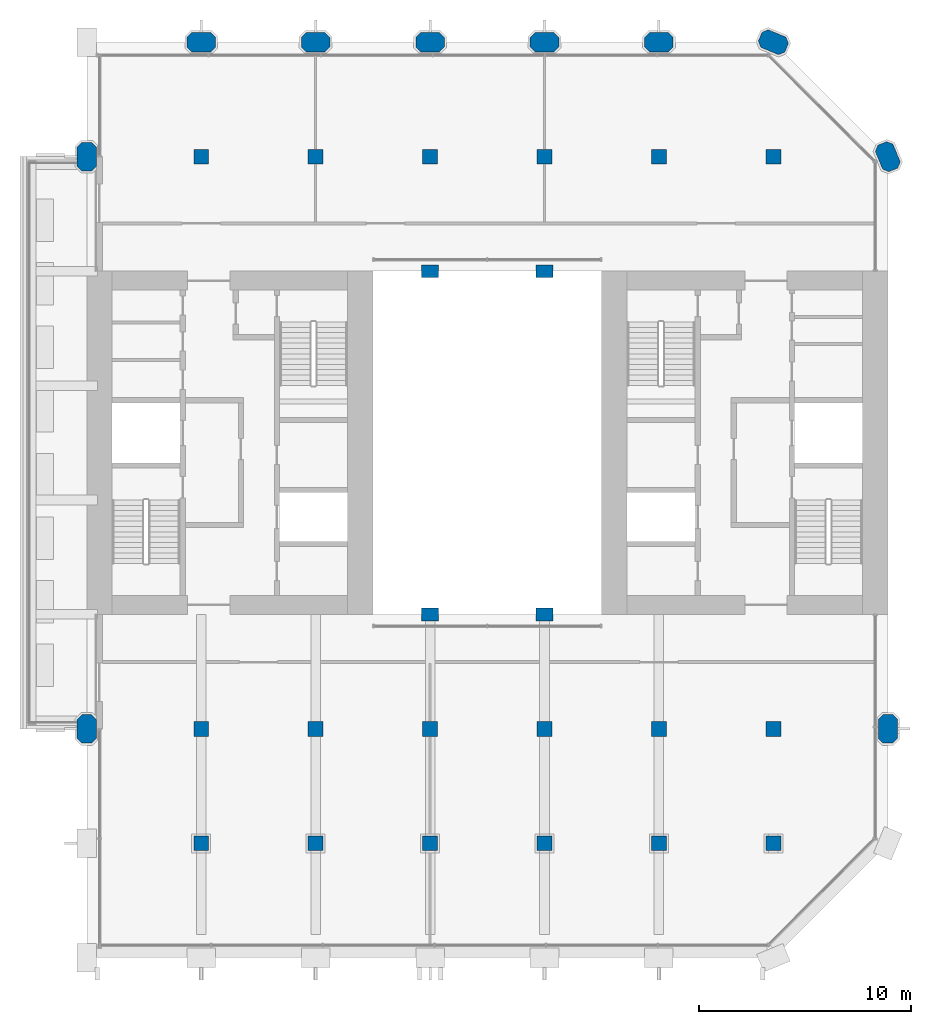
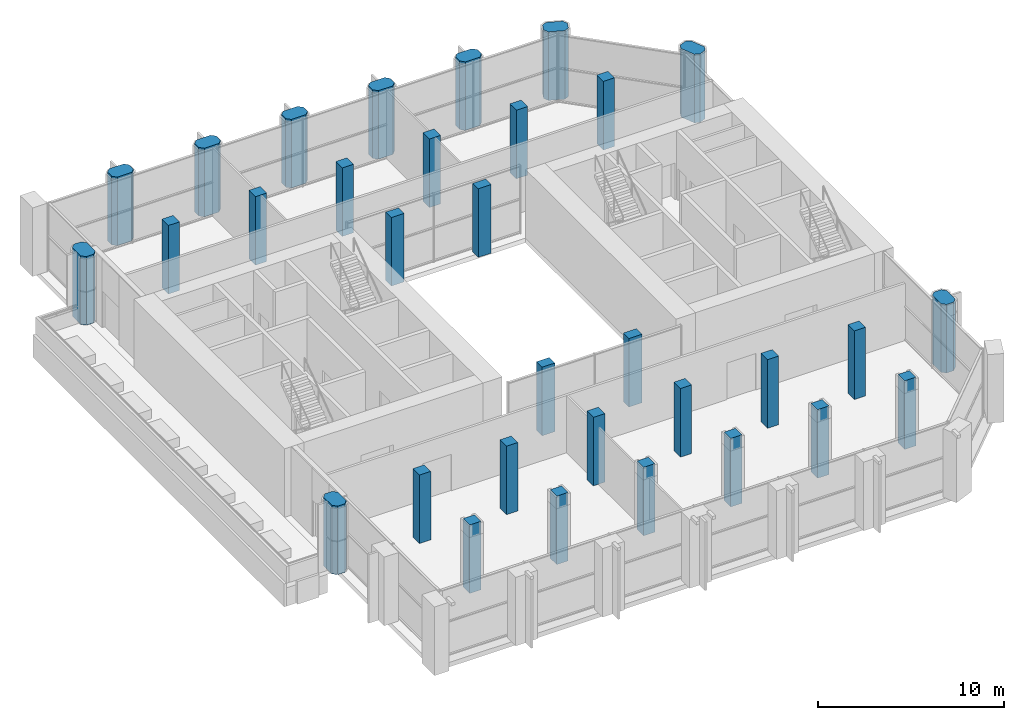
# One storey, part 1 of 14: 32 columns.
"""IFC4 building model written with IfcOpenShell, lengths in metres."""

from ifc_helpers import new_model, si_unit, direction, frame, origin, origin_2d, place, context, subcontext, project, spatial, polyline, rectangle, outline, extrude, material, material_profile, profile_set, type_object, element, save


model = new_model("IFC4")

# Units and contexts
model_context = context("Model", 3, precision=1e-05, world=origin(), true_north=direction((0.0, 1.0)))
body_context = subcontext(model_context, "Body", "Model", "MODEL_VIEW")
ifc_project = project(units=[si_unit("LENGTHUNIT", "METRE"), si_unit("AREAUNIT", "SQUARE_METRE"), si_unit("VOLUMEUNIT", "CUBIC_METRE"), si_unit("PLANEANGLEUNIT", "RADIAN"), si_unit("MASSUNIT", "GRAM", prefix="KILO")], contexts=[model_context])

# Site, building, storey
site_placement = place(None, origin())
site = spatial("IfcSite", under=ifc_project, at=site_placement, CompositionType="ELEMENT")
building_placement = place(site_placement, origin())
building = spatial("IfcBuilding", under=site, at=building_placement, Name="Tabaq Tower and Sports Hall", CompositionType="ELEMENT")
storey_placement = place(building_placement, frame((0.0, 0.0, 260.5)))
storey = spatial("IfcBuildingStorey", under=building, at=storey_placement, Name="L63", CompositionType="ELEMENT", Elevation=260.5)

# Columns
ifc_material_1 = material(Name="Concrete C40/50", Category="concrete")
ifc_material_profile_1 = material_profile(ifc_material_1, rectangle(XDim=0.800048828125, YDim=0.60009765625, at=origin_2d()), Name="ATRIUM COLUMN 800x600")
ifc_profile_set_1 = profile_set([ifc_material_profile_1], Name="Concrete C40/50")
column_type_1 = type_object("IfcColumnType", Name="RC COLUMN ATRIUM COLUMN 800x600 C40/50", PredefinedType="COLUMN", material=ifc_profile_set_1)
for number, where, z_axis, x_axis, name in (
    (1, (21.60009765625, 16.199951171875, 0.0), (0.0, 0.0, 1.0), (1.0, 0.0, 0.0), "Atrium Column 5/D L63"),
    (2, (27.0, 16.199951171875, 0.0), (0.0, 0.0, 1.0), (1.0, 0.0, 0.0), "Atrium Column 6/D L63"),
    (3, (21.60009765625, 32.39990234375, 0.0), (0.0, 0.0, 1.0), (1.0, 0.0, 0.0), "Atrium Column 5/G L63"),
    (4, (27.0, 32.39990234375, 0.0), (0.0, 0.0, 1.0), (1.0, 0.0, 0.0), "Atrium Column 6/G L63"),
):
    element("IfcColumn", number, at=place(storey_placement, frame(where, z_axis=z_axis, x_axis=x_axis)), inside=storey, type_object=column_type_1, Name=name, PredefinedType="COLUMN", context=body_context, shape_type="SweptSolid", body=[
        extrude(rectangle(XDim=0.800048828125, YDim=0.60009765625, at=origin_2d()), origin(), (0.0, 0.0, 1.0), 4.5),
    ])
ifc_material_2 = material(Name="Concrete C40/50", Category="concrete")
ifc_material_profile_2 = material_profile(ifc_material_2, rectangle(XDim=0.699951171875, YDim=0.699951171875, at=origin_2d()), Name="COLUMN 700x700")
ifc_profile_set_2 = profile_set([ifc_material_profile_2], Name="Concrete C40/50")
column_type_2 = type_object("IfcColumnType", Name="RC COLUMN COLUMN 700x700 C40/50", PredefinedType="COLUMN", material=ifc_profile_set_2)
for number, where, z_axis, x_axis, name in (
    (5, (10.800048828125, 5.39990234375, 0.0), (0.0, 0.0, 1.0), (1.0, 0.0, 0.0), "Column 3/B L63"),
    (6, (16.199951171875, 5.39990234375, 0.0), (0.0, 0.0, 1.0), (1.0, 0.0, 0.0), "Column 4/B L63"),
    (7, (21.60009765625, 5.39990234375, 0.0), (0.0, 0.0, 1.0), (1.0, 0.0, 0.0), "Column 5/B L63"),
    (8, (27.0, 5.39990234375, 0.0), (0.0, 0.0, 1.0), (1.0, 0.0, 0.0), "Column 6/B L63"),
    (9, (32.39990234375, 5.39990234375, 0.0), (0.0, 0.0, 1.0), (1.0, 0.0, 0.0), "Column 7/B L63"),
    (10, (37.800048828125, 5.39990234375, 0.0), (0.0, 0.0, 1.0), (1.0, 0.0, 0.0), "Column 8/B L63"),
    (11, (10.800048828125, 10.800048828125, 0.0), (0.0, 0.0, 1.0), (1.0, 0.0, 0.0), "Column 3/C L63"),
    (12, (16.199951171875, 10.800048828125, 0.0), (0.0, 0.0, 1.0), (1.0, 0.0, 0.0), "Column 4/C L63"),
    (13, (21.60009765625, 10.800048828125, 0.0), (0.0, 0.0, 1.0), (1.0, 0.0, 0.0), "Column 5/C L63"),
    (14, (27.0, 10.800048828125, 0.0), (0.0, 0.0, 1.0), (1.0, 0.0, 0.0), "Column 6/C L63"),
    (15, (32.39990234375, 10.800048828125, 0.0), (0.0, 0.0, 1.0), (1.0, 0.0, 0.0), "Column 7/C L63"),
    (16, (37.800048828125, 10.800048828125, 0.0), (0.0, 0.0, 1.0), (1.0, 0.0, 0.0), "Column 8/C L63"),
    (17, (10.800048828125, 37.800048828125, 0.0), (0.0, 0.0, 1.0), (1.0, 0.0, 0.0), "Column 3/H L63"),
    (18, (16.199951171875, 37.800048828125, 0.0), (0.0, 0.0, 1.0), (1.0, 0.0, 0.0), "Column 4/H L63"),
    (19, (21.60009765625, 37.800048828125, 0.0), (0.0, 0.0, 1.0), (1.0, 0.0, 0.0), "Column 5/H L63"),
    (20, (27.0, 37.800048828125, 0.0), (0.0, 0.0, 1.0), (1.0, 0.0, 0.0), "Column 6/H L63"),
    (21, (32.39990234375, 37.800048828125, 0.0), (0.0, 0.0, 1.0), (1.0, 0.0, 0.0), "Column 7/H L63"),
    (22, (37.800048828125, 37.800048828125, 0.0), (0.0, 0.0, 1.0), (1.0, 0.0, 0.0), "Column 8/H L63"),
):
    element("IfcColumn", number, at=place(storey_placement, frame(where, z_axis=z_axis, x_axis=x_axis)), inside=storey, type_object=column_type_2, Name=name, PredefinedType="COLUMN", context=body_context, shape_type="SweptSolid", body=[
        extrude(rectangle(XDim=0.699951171875, YDim=0.699951171875, at=origin_2d()), origin(), (0.0, 0.0, 1.0), 4.5),
    ])
ifc_material_3 = material(Name="Concrete C40/50", Category="concrete")
ifc_material_profile_3 = material_profile(ifc_material_3, outline(polyline([(-0.449951171875, -0.449951171875), (0.449951171875, -0.449951171875), (0.675048828125, -0.22509765625), (0.675048828125, 0.22509765625), (0.449951171875, 0.449951171875), (-0.449951171875, 0.449951171875), (-0.675048828125, 0.22509765625), (-0.675048828125, -0.22509765625), (-0.449951171875, -0.449951171875)])), Name="PIER 1350x900")
ifc_profile_set_3 = profile_set([ifc_material_profile_3], Name="Concrete C40/50")
column_type_3 = type_object("IfcColumnType", Name="RC COLUMN PIER 1350x900 C40/50", PredefinedType="COLUMN", material=ifc_profile_set_3)
for number, where, z_axis, x_axis, name in (
    (23, (5.39990234375, 10.800048828125, 0.0), (0.0, 0.0, 1.0), (0.0, 1.0, 0.0), "Pier 2/C L63"),
    (24, (43.199951171875, 10.800048828125, 0.0), (0.0, 0.0, 1.0), (0.0, 1.0, 0.0), "Pier 9/C L63"),
    (25, (5.39990234375, 37.800048828125, 0.0), (0.0, 0.0, 1.0), (0.0, 1.0, 0.0), "Pier 2/H L63"),
    (26, (43.199951171875, 37.800048828125, 0.0), (0.0, 0.0, 1.0), (-0.382683432365, 0.923879532511, 0.0), "Pier 9/H L63"),
    (27, (10.800048828125, 43.199951171875, 0.0), (0.0, 0.0, 1.0), (1.0, 0.0, 0.0), "Pier 3/I L63"),
    (28, (16.199951171875, 43.199951171875, 0.0), (0.0, 0.0, 1.0), (1.0, 0.0, 0.0), "Pier 4/I L63"),
    (29, (21.60009765625, 43.199951171875, 0.0), (0.0, 0.0, 1.0), (1.0, 0.0, 0.0), "Pier 5/I L63"),
    (30, (27.0, 43.199951171875, 0.0), (0.0, 0.0, 1.0), (1.0, 0.0, 0.0), "Pier 6/I L63"),
    (31, (32.39990234375, 43.199951171875, 0.0), (0.0, 0.0, 1.0), (1.0, 0.0, 0.0), "Pier 7/I L63"),
    (32, (37.800048828125, 43.199951171875, 0.0), (0.0, 0.0, 1.0), (-0.923879532511, 0.382683432365, 0.0), "Pier 8/I L63"),
):
    element("IfcColumn", number, at=place(storey_placement, frame(where, z_axis=z_axis, x_axis=x_axis)), inside=storey, type_object=column_type_3, Name=name, PredefinedType="COLUMN", context=body_context, shape_type="SweptSolid", body=[
        extrude(outline(polyline([(-0.449951171875, -0.449951171875), (0.449951171875, -0.449951171875), (0.675048828125, -0.22509765625), (0.675048828125, 0.22509765625), (0.449951171875, 0.449951171875), (-0.449951171875, 0.449951171875), (-0.675048828125, 0.22509765625), (-0.675048828125, -0.22509765625), (-0.449951171875, -0.449951171875)])), origin(), (0.0, 0.0, 1.0), 4.5),
    ])

save(model, "model.ifc")
